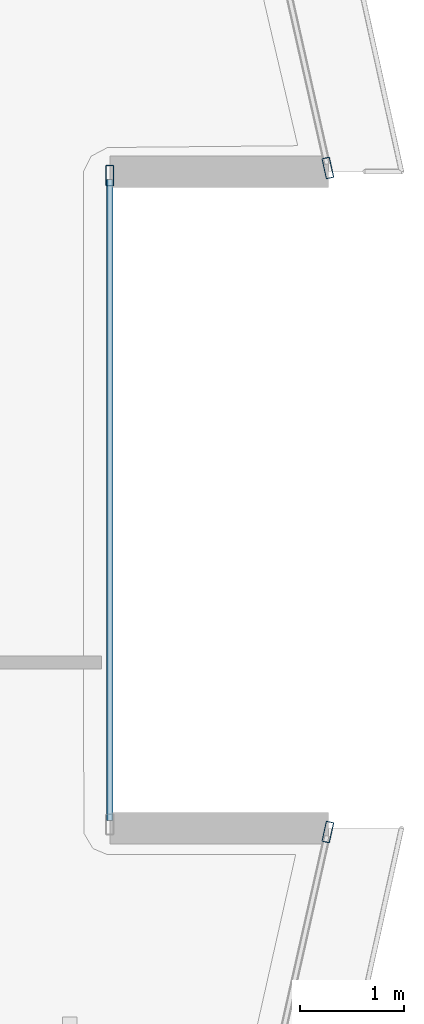
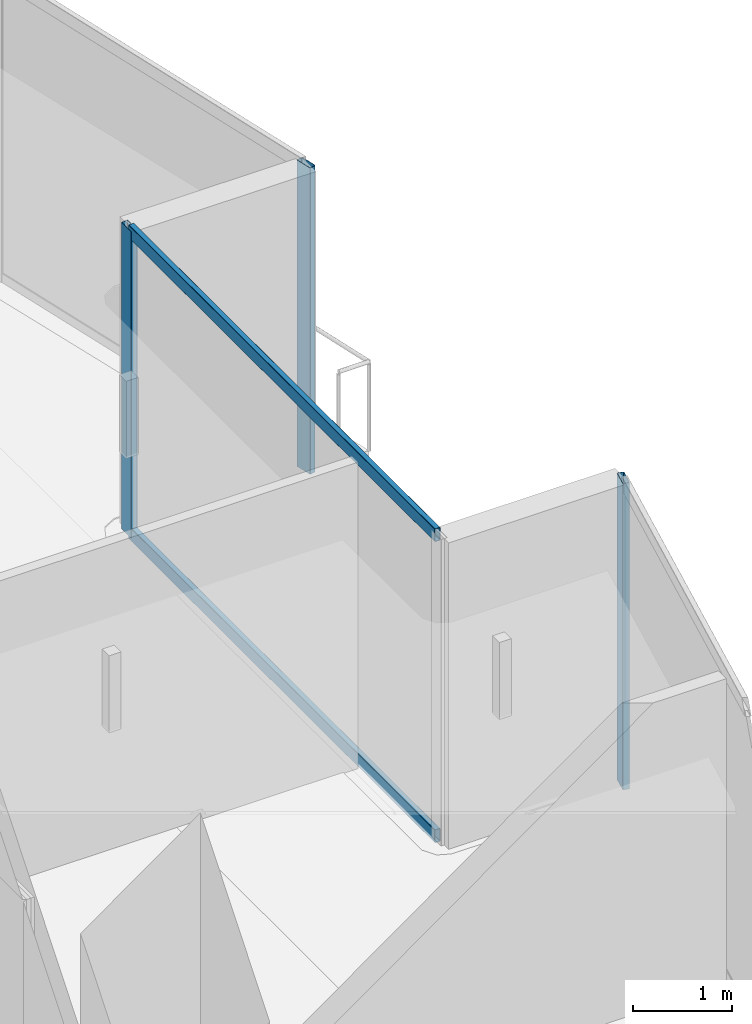
# One storey, part 12 of 26: 5 members, 3 elements without a shape of their own.
"""IFC4 building model written with IfcOpenShell, lengths in metres."""

from ifc_helpers import new_model, si_unit, direction, frame, origin, origin_2d, place, context, subcontext, project, spatial, hollow_rectangle, extrude, material, layer, layer_set, material_profile, profile_set, type_object, element, aggregate, save


model = new_model("IFC4")

# Units and contexts
model_context = context("Model", 3, precision=1e-05, world=origin(), true_north=direction((0.0, 1.0)))
body_context = subcontext(model_context, "Body", "Model", "MODEL_VIEW")
ifc_project = project(units=[si_unit("LENGTHUNIT", "METRE"), si_unit("AREAUNIT", "SQUARE_METRE"), si_unit("VOLUMEUNIT", "CUBIC_METRE"), si_unit("PLANEANGLEUNIT", "RADIAN"), si_unit("MASSUNIT", "GRAM", prefix="KILO")], contexts=[model_context])

# Site, building, storey
site_placement = place(None, origin())
site = spatial("IfcSite", under=ifc_project, at=site_placement, CompositionType="ELEMENT")
building_placement = place(site_placement, origin())
building = spatial("IfcBuilding", under=site, at=building_placement, Name="Qorvath Tower", CompositionType="ELEMENT")
storey_placement = place(building_placement, frame((0.0, 0.0, 322.800048828125)))
storey = spatial("IfcBuildingStorey", under=building, at=storey_placement, Name="L75", CompositionType="ELEMENT", Elevation=322.800048828125)

# Curtain wall, member
ifc_material_1 = material(Name="Anodised aluminium and triple low-E glass", Category="aluminium")
ifc_layer = layer(ifc_material_1, 0.179931640625)
ifc_layer_set = layer_set([ifc_layer], Name="CW-SYS-4")
curtain_wall_type = type_object("IfcCurtainWallType", Name="CW-SYS-4", PredefinedType="NOTDEFINED", material=ifc_layer_set)
curtain_wall_1_placement = place(storey_placement, origin())
curtain_wall_1 = element("IfcCurtainWall", 1, at=curtain_wall_1_placement, inside=storey, type_object=curtain_wall_type, Name="Curtain Wall CW-4 CW-T-L75-7.1", PredefinedType="NOTDEFINED")
ifc_material_2 = material(Name="Anodised aluminium 6063-T6", Category="aluminium")
ifc_material_profile_1 = material_profile(ifc_material_2, hollow_rectangle(XDim=0.074951171875, YDim=0.199951171875, WallThickness=0.00390625, InnerFilletRadius=0.00390625, OuterFilletRadius=0.008056640625, at=origin_2d()), Name="CWM 200x75")
ifc_profile_set_1 = profile_set([ifc_material_profile_1], Name="Anodised aluminium 6063-T6")
member_type_1 = type_object("IfcMemberType", Name="CWM-200", PredefinedType="MULLION", material=ifc_profile_set_1)
member_1_placement = place(storey_placement, frame((-5.391845703125, -3.20654296875, 0.0), z_axis=(0.0, 0.0, 1.0), x_axis=(-0.975582353762, 0.219633947805, 0.0)))
member_1 = element("IfcMember", 2, at=member_1_placement, type_object=member_type_1, Name="CW-4 mullion 2", PredefinedType="MULLION", context=body_context, shape_type="SweptSolid", body=[
    extrude(hollow_rectangle(XDim=0.074951171875, YDim=0.199951171875, WallThickness=0.00390625, InnerFilletRadius=0.00390625, OuterFilletRadius=0.008056640625, at=origin_2d()), origin(), (0.0, 0.0, 1.0), 3.780029296875),
])
aggregate(curtain_wall_1, [member_1])

curtain_wall_2_placement = place(storey_placement, origin())
curtain_wall_2 = element("IfcCurtainWall", 3, at=curtain_wall_2_placement, inside=storey, type_object=curtain_wall_type, Name="Curtain Wall CW-4 CW-T-L75-9.1", PredefinedType="NOTDEFINED")
member_2_placement = place(storey_placement, frame((-7.496826171875, 3.13232421875, 0.0), z_axis=(0.0, 0.0, 1.0), x_axis=(-1.0, 0.0, 0.0)))
member_2 = element("IfcMember", 4, at=member_2_placement, type_object=member_type_1, Name="CW-4 mullion 2", PredefinedType="MULLION", context=body_context, shape_type="SweptSolid", body=[
    extrude(hollow_rectangle(XDim=0.074951171875, YDim=0.199951171875, WallThickness=0.00390625, InnerFilletRadius=0.00390625, OuterFilletRadius=0.008056640625, at=origin_2d()), origin(), (0.0, 0.0, 1.0), 3.780029296875),
])

curtain_wall_3_placement = place(storey_placement, origin())
curtain_wall_3 = element("IfcCurtainWall", 5, at=curtain_wall_3_placement, inside=storey, type_object=curtain_wall_type, Name="Curtain Wall CW-4 CW-T-L75-11.1", PredefinedType="NOTDEFINED")
member_3_placement = place(storey_placement, frame((-5.391845703125, 3.20654296875, 0.0), z_axis=(0.0, 0.0, 1.0), x_axis=(-0.975582353762, -0.219633947805, 0.0)))
member_3 = element("IfcMember", 6, at=member_3_placement, type_object=member_type_1, Name="CW-4 mullion 1", PredefinedType="MULLION", context=body_context, shape_type="SweptSolid", body=[
    extrude(hollow_rectangle(XDim=0.074951171875, YDim=0.199951171875, WallThickness=0.00390625, InnerFilletRadius=0.00390625, OuterFilletRadius=0.008056640625, at=origin_2d()), origin(), (0.0, 0.0, 1.0), 3.780029296875),
])
aggregate(curtain_wall_3, [member_3])

# Member
ifc_material_3 = material(Name="Anodised aluminium 6063-T6", Category="aluminium")
ifc_material_profile_2 = material_profile(ifc_material_3, hollow_rectangle(XDim=0.06494140625, YDim=0.159912109375, WallThickness=0.00341796875, InnerFilletRadius=0.00341796875, OuterFilletRadius=0.007080078125, at=origin_2d()), Name="CWT 160x65")
ifc_profile_set_2 = profile_set([ifc_material_profile_2], Name="Anodised aluminium 6063-T6")
member_type_2 = type_object("IfcMemberType", Name="CWT-160", PredefinedType="USERDEFINED", material=ifc_profile_set_2)
member_4_placement = place(storey_placement, frame((-7.496826171875, -3.094970703125, 0.032470703125), z_axis=(0.0, 1.0, 0.0), x_axis=(-1.0, 0.0, 0.0)))
member_4 = element("IfcMember", 7, at=member_4_placement, type_object=member_type_2, Name="CW-4 transom 1.1", ObjectType="TRANSOM", PredefinedType="USERDEFINED", context=body_context, shape_type="SweptSolid", body=[
    extrude(hollow_rectangle(XDim=0.06494140625, YDim=0.159912109375, WallThickness=0.00341796875, InnerFilletRadius=0.00341796875, OuterFilletRadius=0.007080078125, at=origin_2d()), origin(), (0.0, 0.0, 1.0), 6.18994140625),
])

member_5_placement = place(storey_placement, frame((-7.496826171875, -3.094970703125, 3.74755859375), z_axis=(0.0, 1.0, 0.0), x_axis=(-1.0, 0.0, 0.0)))
member_5 = element("IfcMember", 8, at=member_5_placement, type_object=member_type_2, Name="CW-4 transom 1.2", ObjectType="TRANSOM", PredefinedType="USERDEFINED", context=body_context, shape_type="SweptSolid", body=[
    extrude(hollow_rectangle(XDim=0.06494140625, YDim=0.159912109375, WallThickness=0.00341796875, InnerFilletRadius=0.00341796875, OuterFilletRadius=0.007080078125, at=origin_2d()), origin(), (0.0, 0.0, 1.0), 6.18994140625),
])

aggregate(curtain_wall_2, [member_2, member_4, member_5])

save(model, "model.ifc")
